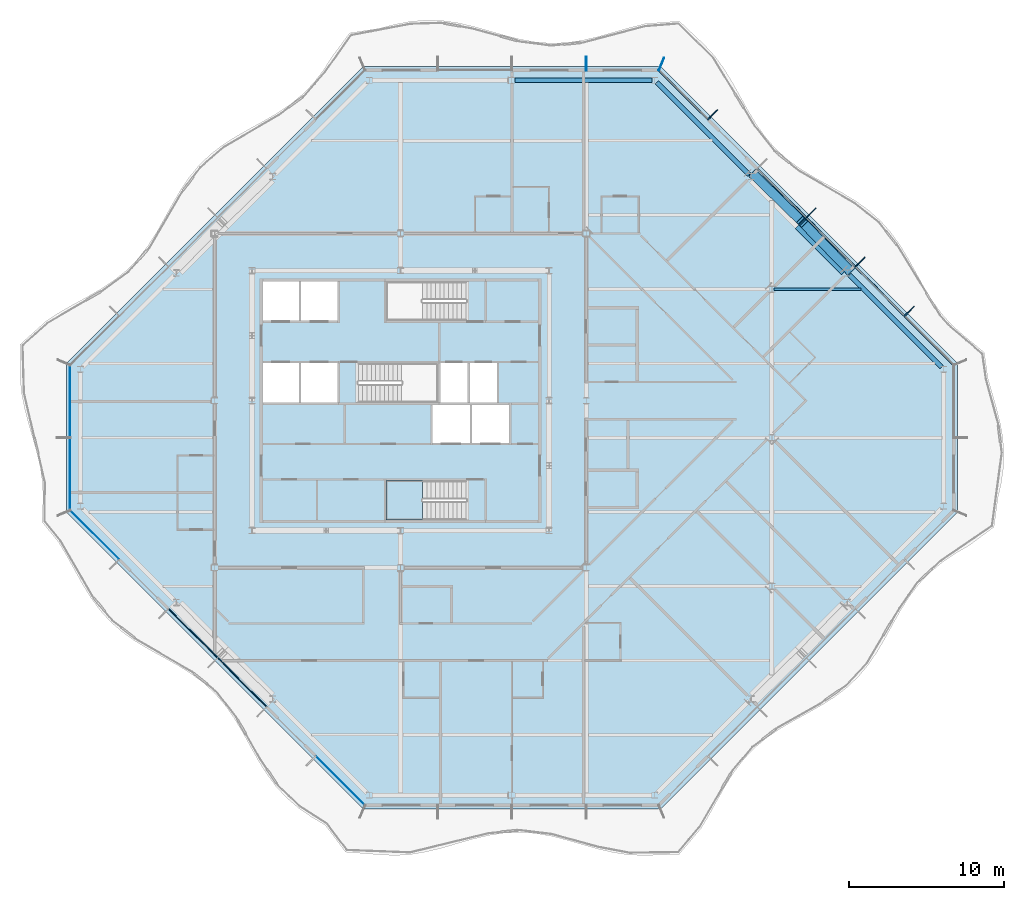
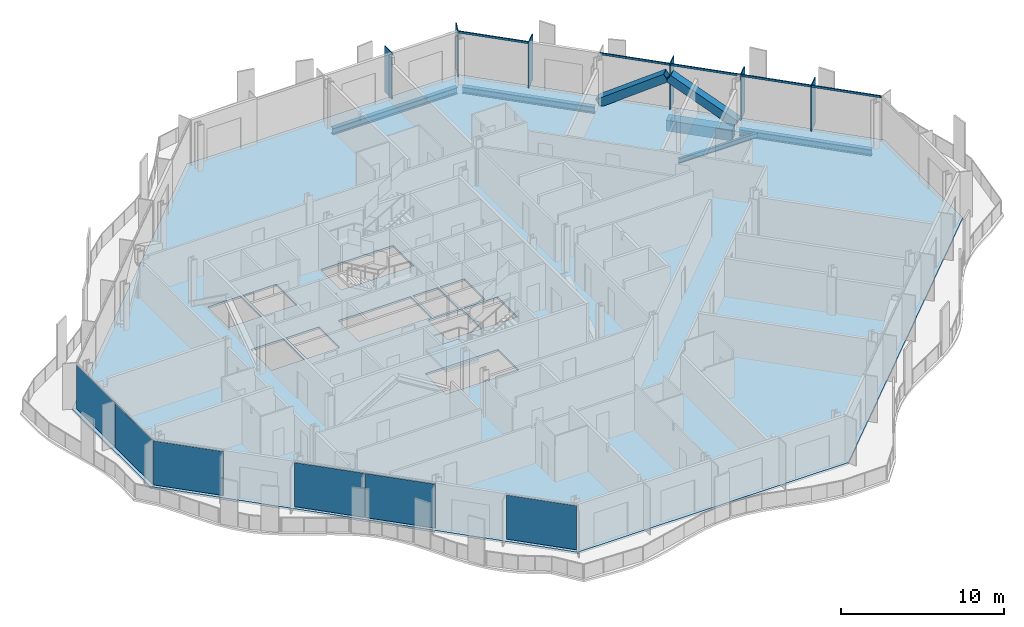
# One storey, part 5 of 17: 13 members, 6 plates, 5 beams, 2 slabs, 5 elements without a shape of their own.
"""IFC4 building model written with IfcOpenShell, lengths in metres."""

from ifc_helpers import new_model, si_unit, direction, frame, origin, origin_2d, place, context, subcontext, project, spatial, polyline, rectangle, hollow_rectangle, i_section, outline, extrude, material, layer, layer_set, material_profile, profile_set, type_object, element, aggregate, save


model = new_model("IFC4")

# Units and contexts
model_context = context("Model", 3, precision=1e-05, world=origin(), true_north=direction((0.0, 1.0)))
body_context = subcontext(model_context, "Body", "Model", "MODEL_VIEW")
ifc_project = project(units=[si_unit("LENGTHUNIT", "METRE"), si_unit("AREAUNIT", "SQUARE_METRE"), si_unit("VOLUMEUNIT", "CUBIC_METRE"), si_unit("PLANEANGLEUNIT", "RADIAN"), si_unit("MASSUNIT", "GRAM", prefix="KILO")], contexts=[model_context])

# Site, building, storey
site_placement = place(None, origin())
site = spatial("IfcSite", under=ifc_project, at=site_placement, CompositionType="ELEMENT")
building_placement = place(site_placement, origin())
building = spatial("IfcBuilding", under=site, at=building_placement, Name="Cairn Pilgrim Tower", CompositionType="ELEMENT")
storey_placement = place(building_placement, frame((0.0, 0.0, 225.0)))
storey = spatial("IfcBuildingStorey", under=building, at=storey_placement, Name="L57", CompositionType="ELEMENT", Elevation=225.0)

# Members
ifc_material_1 = material(Name="Structural steel S460M", Category="steel")
ifc_material_profile_1 = material_profile(ifc_material_1, hollow_rectangle(XDim=0.60009765625, YDim=0.60009765625, WallThickness=0.034912109375, at=origin_2d()), Name="BOX 600x600x35")
ifc_profile_set_1 = profile_set([ifc_material_profile_1], Name="Structural steel S460M")
member_type_1 = type_object("IfcMemberType", Name="BOX 600x600x35 BRACE", PredefinedType="BRACE", material=ifc_profile_set_1)
for number, where, z_axis, x_axis, name in (
    (1, (36.201416015625, 10.823974609375, 0.14990234375), (-0.59476326853, 0.609993709431, 0.523607036681), (-0.715988756584, -0.698111810848, 0.0), "XB-NE2-NE3-1"),
    (2, (30.02392578125, 17.00146484375, 0.14990234375), (0.609993709431, -0.59476326853, 0.523607036681), (0.698111810848, 0.715988756584, 0.0), "XB-NE2-NE3-2"),
):
    element("IfcMember", number, at=place(storey_placement, frame(where, z_axis=z_axis, x_axis=x_axis)), inside=storey, type_object=member_type_1, Name=name, PredefinedType="BRACE", context=body_context, shape_type="SweptSolid", body=[
        extrude(hollow_rectangle(XDim=0.60009765625, YDim=0.60009765625, WallThickness=0.034912109375, at=origin_2d()), origin(), (0.0, 0.0, 1.0), 5.033447265625),
    ])

# Beam
ifc_material_2 = material(Name="Structural steel S355J2", Category="steel")
ifc_material_profile_2 = material_profile(ifc_material_2, hollow_rectangle(XDim=0.699951171875, YDim=0.800048828125, WallThickness=0.0400390625, at=origin_2d()), Name="BOX 700x800x40")
ifc_profile_set_2 = profile_set([ifc_material_profile_2], Name="Structural steel S355J2")
beam_type_1 = type_object("IfcBeamType", Name="BOX 700x800x40 RING GIRDER", PredefinedType="SPANDREL", material=ifc_profile_set_2)
beam_1_placement = place(storey_placement, frame((35.943359375, 10.78369140625, -0.550048828125), z_axis=(-0.707077813866, 0.707135747321, 0.0), x_axis=(-0.707135747321, -0.707077813866, 0.0)))
element("IfcBeam", 3, at=beam_1_placement, inside=storey, type_object=beam_type_1, Name="RG3-NE2-NE3-1", PredefinedType="SPANDREL", context=body_context, shape_type="SweptSolid", body=[
    extrude(hollow_rectangle(XDim=0.699951171875, YDim=0.800048828125, WallThickness=0.0400390625, at=origin_2d()), origin(), (0.0, 0.0, 1.0), 4.214111328125),
])

# Curtain wall, members
ifc_material_3 = material(Name="Aluminium alloy 6063-T6 bronze anodised with Bronze tinted laminated low-E glass 8+16+8.8", Category="aluminium")
curtain_wall_type_1 = type_object("IfcCurtainWallType", Name="CHAMFER CORNER CURTAIN WALL", PredefinedType="NOTDEFINED", material=ifc_material_3)
curtain_wall_1_placement = place(storey_placement, origin())
curtain_wall_1 = element("IfcCurtainWall", 4, at=curtain_wall_1_placement, inside=storey, type_object=curtain_wall_type_1, Name="Chamfer Corner Curtain Wall NE", PredefinedType="NOTDEFINED")
ifc_material_4 = material(Name="Aluminium alloy 6063-T6 bronze anodised", Category="aluminium")
ifc_material_profile_3 = material_profile(ifc_material_4, rectangle(XDim=0.89990234375, YDim=0.06005859375, at=origin_2d()), Name="FIN MULLION 60x900 BRONZE")
ifc_profile_set_3 = profile_set([ifc_material_profile_3], Name="Aluminium alloy 6063-T6 bronze anodised")
member_type_2 = type_object("IfcMemberType", Name="FIN MULLION 60x900 BRONZE", PredefinedType="MULLION", material=ifc_profile_set_3)
member_1_placement = place(storey_placement, frame((40.0712890625, 8.1689453125, 0.0), z_axis=(0.0, 0.0, 1.0), x_axis=(0.707106781187, 0.707106781187, 0.0)))
member_1 = element("IfcMember", 5, at=member_1_placement, type_object=member_type_2, Name="Fin mullion NE2", PredefinedType="MULLION", context=body_context, shape_type="SweptSolid", body=[
    extrude(rectangle(XDim=0.89990234375, YDim=0.06005859375, at=origin_2d()), origin(), (0.0, 0.0, 1.0), 3.449951171875),
])
member_2_placement = place(storey_placement, frame((36.895751953125, 11.3447265625, 0.0), z_axis=(0.0, 0.0, 1.0), x_axis=(0.707106781187, 0.707106781187, 0.0)))
member_2 = element("IfcMember", 6, at=member_2_placement, type_object=member_type_2, Name="Fin mullion NE3", PredefinedType="MULLION", context=body_context, shape_type="SweptSolid", body=[
    extrude(rectangle(XDim=0.89990234375, YDim=0.06005859375, at=origin_2d()), origin(), (0.0, 0.0, 1.0), 3.449951171875),
])
member_3_placement = place(storey_placement, frame((33.72021484375, 14.520263671875, 0.0), z_axis=(0.0, 0.0, 1.0), x_axis=(0.707106781187, 0.707106781187, 0.0)))
member_3 = element("IfcMember", 7, at=member_3_placement, type_object=member_type_2, Name="Fin mullion NE4", PredefinedType="MULLION", context=body_context, shape_type="SweptSolid", body=[
    extrude(rectangle(XDim=0.89990234375, YDim=0.06005859375, at=origin_2d()), origin(), (0.0, 0.0, 1.0), 3.449951171875),
])
member_4_placement = place(storey_placement, frame((27.369140625, 20.871337890625, 0.0), z_axis=(0.0, 0.0, 1.0), x_axis=(0.707106781187, 0.707106781187, 0.0)))
member_4 = element("IfcMember", 8, at=member_4_placement, type_object=member_type_2, Name="Fin mullion NE6", PredefinedType="MULLION", context=body_context, shape_type="SweptSolid", body=[
    extrude(rectangle(XDim=0.89990234375, YDim=0.06005859375, at=origin_2d()), origin(), (0.0, 0.0, 1.0), 3.449951171875),
])

curtain_wall_type_2 = type_object("IfcCurtainWallType", Name="TOWER STICK CURTAIN WALL NS", PredefinedType="NOTDEFINED", material=ifc_material_3)
curtain_wall_2_placement = place(storey_placement, origin())
curtain_wall_2 = element("IfcCurtainWall", 9, at=curtain_wall_2_placement, inside=storey, type_object=curtain_wall_type_2, Name="Tower Stick Curtain Wall Ns N", PredefinedType="NOTDEFINED")
member_5_placement = place(storey_placement, frame((24.05712890625, 24.137939453125, 0.0), z_axis=(0.0, 0.0, 1.0), x_axis=(0.382683432365, 0.923879532511, 0.0)))
member_5 = element("IfcMember", 10, at=member_5_placement, type_object=member_type_2, Name="Fin mullion N1", PredefinedType="MULLION", context=body_context, shape_type="SweptSolid", body=[
    extrude(rectangle(XDim=0.89990234375, YDim=0.06005859375, at=origin_2d()), origin(), (0.0, 0.0, 1.0), 3.449951171875),
])
member_6_placement = place(storey_placement, frame((19.199951171875, 24.169921875, 0.0), z_axis=(0.0, 0.0, 1.0), x_axis=(0.0, 1.0, 0.0)))
member_6 = element("IfcMember", 11, at=member_6_placement, type_object=member_type_2, Name="Fin mullion N2", PredefinedType="MULLION", context=body_context, shape_type="SweptSolid", body=[
    extrude(rectangle(XDim=0.89990234375, YDim=0.06005859375, at=origin_2d()), origin(), (0.0, 0.0, 1.0), 3.449951171875),
])
aggregate(curtain_wall_2, [member_5, member_6])

# Beams
ifc_material_profile_4 = material_profile(ifc_material_2, i_section(OverallWidth=0.300048828125, OverallDepth=0.5, WebThickness=0.014404296875, FlangeThickness=0.028076171875, FilletRadius=0.027099609375, at=origin_2d()), Name="HEB 500")
ifc_profile_set_4 = profile_set([ifc_material_profile_4], Name="Structural steel S355J2")
beam_type_2 = type_object("IfcBeamType", Name="HEB 500 RING GIRDER", PredefinedType="SPANDREL", material=ifc_profile_set_4)
for number, where, z_axis, x_axis, name in (
    (12, (42.16748046875, 4.5595703125, -0.39990234375), (-0.707106781187, 0.707106781187, 0.0), (-0.707106781187, -0.707106781187, 0.0), "RG3-NE1-NE2"),
    (13, (29.718994140625, 17.008056640625, -0.39990234375), (-0.707106781187, 0.707106781187, 0.0), (-0.707106781187, -0.707106781187, 0.0), "RG3-NE3-N1"),
):
    element("IfcBeam", number, at=place(storey_placement, frame(where, z_axis=z_axis, x_axis=x_axis)), inside=storey, type_object=beam_type_2, Name=name, PredefinedType="SPANDREL", context=body_context, shape_type="SweptSolid", body=[
        extrude(i_section(OverallWidth=0.300048828125, OverallDepth=0.5, WebThickness=0.014404296875, FlangeThickness=0.028076171875, FilletRadius=0.027099609375, at=origin_2d()), origin(), (0.0, 0.0, 1.0), 8.427978515625),
    ])
beam_2_placement = place(storey_placement, frame((23.43994140625, 23.10009765625, -0.39990234375), z_axis=(-1.0, 0.0, 0.0), x_axis=(0.0, -1.0, 0.0)))
element("IfcBeam", 14, at=beam_2_placement, inside=storey, type_object=beam_type_2, Name="RG3-N1-N2", PredefinedType="SPANDREL", context=body_context, shape_type="SweptSolid", body=[
    extrude(i_section(OverallWidth=0.300048828125, OverallDepth=0.5, WebThickness=0.014404296875, FlangeThickness=0.028076171875, FilletRadius=0.027099609375, at=origin_2d()), origin(), (0.0, 0.0, 1.0), 8.852783203125),
])
ifc_material_profile_5 = material_profile(ifc_material_2, i_section(OverallWidth=0.169921875, OverallDepth=0.360107421875, WebThickness=0.008056640625, FlangeThickness=0.0126953125, FilletRadius=0.01806640625, at=origin_2d()), Name="IPE 360")
ifc_profile_set_5 = profile_set([ifc_material_profile_5], Name="Structural steel S355J2")
beam_type_3 = type_object("IfcBeamType", Name="IPE 360 SECONDARY BEAM", PredefinedType="JOIST", material=ifc_profile_set_5)
beam_3_placement = place(storey_placement, frame((31.35009765625, 9.60009765625, -0.330078125), z_axis=(1.0, 0.0, 0.0), x_axis=(0.0, 1.0, 0.0)))
element("IfcBeam", 15, at=beam_3_placement, inside=storey, type_object=beam_type_3, Name="SB7-3", PredefinedType="JOIST", context=body_context, shape_type="SweptSolid", body=[
    extrude(i_section(OverallWidth=0.169921875, OverallDepth=0.360107421875, WebThickness=0.008056640625, FlangeThickness=0.0126953125, FilletRadius=0.01806640625, at=origin_2d()), origin(), (0.0, 0.0, 1.0), 5.594970703125),
])

# Member
ifc_material_profile_6 = material_profile(ifc_material_4, rectangle(XDim=0.080078125, YDim=0.14990234375, at=origin_2d()), Name="TRANSOM 80x150 BRONZE")
ifc_profile_set_6 = profile_set([ifc_material_profile_6], Name="Aluminium alloy 6063-T6 bronze anodised")
member_type_3 = type_object("IfcMemberType", Name="TRANSOM 80x150 BRONZE", PredefinedType="USERDEFINED", material=ifc_profile_set_6)
member_7_placement = place(storey_placement, frame((42.921630859375, 4.724609375, 3.375), z_axis=(-0.707079168996, 0.707134392299, 0.0), x_axis=(-0.707134392299, -0.707079168996, 0.0)))
member_7 = element("IfcMember", 16, at=member_7_placement, type_object=member_type_3, Name="Transom NE1", ObjectType="TRANSOM", PredefinedType="USERDEFINED", context=body_context, shape_type="SweptSolid", body=[
    extrude(rectangle(XDim=0.080078125, YDim=0.14990234375, at=origin_2d()), origin(), (0.0, 0.0, 1.0), 4.4208984375),
])

member_8_placement = place(storey_placement, frame((39.753173828125, 7.893310546875, 3.375), z_axis=(-0.707106781187, 0.707106781187, 0.0), x_axis=(-0.707106781187, -0.707106781187, 0.0)))
member_8 = element("IfcMember", 17, at=member_8_placement, type_object=member_type_3, Name="Transom NE2", ObjectType="TRANSOM", PredefinedType="USERDEFINED", context=body_context, shape_type="SweptSolid", body=[
    extrude(rectangle(XDim=0.080078125, YDim=0.14990234375, at=origin_2d()), origin(), (0.0, 0.0, 1.0), 4.430908203125),
])

member_9_placement = place(storey_placement, frame((36.57763671875, 11.06884765625, 3.375), z_axis=(-0.707134329907, 0.707079231393, 0.0), x_axis=(-0.707079231393, -0.707134329907, 0.0)))
member_9 = element("IfcMember", 18, at=member_9_placement, type_object=member_type_3, Name="Transom NE3", ObjectType="TRANSOM", PredefinedType="USERDEFINED", context=body_context, shape_type="SweptSolid", body=[
    extrude(rectangle(XDim=0.080078125, YDim=0.14990234375, at=origin_2d()), origin(), (0.0, 0.0, 1.0), 4.430908203125),
])

member_10_placement = place(storey_placement, frame((33.402099609375, 14.244384765625, 3.375), z_axis=(-0.707106781187, 0.707106781187, 0.0), x_axis=(-0.707106781187, -0.707106781187, 0.0)))
member_10 = element("IfcMember", 19, at=member_10_placement, type_object=member_type_3, Name="Transom NE4", ObjectType="TRANSOM", PredefinedType="USERDEFINED", context=body_context, shape_type="SweptSolid", body=[
    extrude(rectangle(XDim=0.080078125, YDim=0.14990234375, at=origin_2d()), origin(), (0.0, 0.0, 1.0), 4.43115234375),
])

member_11_placement = place(storey_placement, frame((27.05078125, 20.595703125, 3.375), z_axis=(-0.707106781187, 0.707106781187, 0.0), x_axis=(-0.707106781187, -0.707106781187, 0.0)))
member_11 = element("IfcMember", 20, at=member_11_placement, type_object=member_type_3, Name="Transom NE6", ObjectType="TRANSOM", PredefinedType="USERDEFINED", context=body_context, shape_type="SweptSolid", body=[
    extrude(rectangle(XDim=0.080078125, YDim=0.14990234375, at=origin_2d()), origin(), (0.0, 0.0, 1.0), 4.4208984375),
])

aggregate(curtain_wall_1, [member_1, member_2, member_3, member_4, member_7, member_8, member_9, member_10, member_11])

# Slab
ifc_material_5 = material(Name="Concrete C35/45", Category="concrete")
ifc_layer_1 = layer(ifc_material_5, 0.14990234375)
ifc_layer_set_1 = layer_set([ifc_layer_1], Name="COMPOSITE FLOOR SLAB 150")
slab_type_1 = type_object("IfcSlabType", Name="COMPOSITE FLOOR SLAB 150", PredefinedType="FLOOR", material=ifc_layer_set_1)
slab_1_placement = place(storey_placement, frame((0.0, 0.0, -0.14990234375)))
element("IfcSlab", 21, at=slab_1_placement, inside=storey, type_object=slab_type_1, Name="FLOOR SLAB L57", PredefinedType="FLOOR", context=body_context, shape_type="SweptSolid", body=[
    extrude(outline(polyline([(4.800048828125, -24.0), (24.0, -24.0), (43.199951171875, -4.800048828125), (43.199951171875, 4.800048828125), (24.0, 24.0), (4.800048828125, 24.0), (-14.39990234375, 4.800048828125), (-14.39990234375, -4.800048828125), (4.800048828125, -24.0)]), holes=[polyline([(9.27490234375, -0.324951171875), (11.675048828125, -0.324951171875), (11.675048828125, 2.125), (9.27490234375, 2.125), (9.27490234375, -0.324951171875)]), polyline([(11.824951171875, -0.324951171875), (14.22509765625, -0.324951171875), (14.22509765625, 2.125), (11.824951171875, 2.125), (11.824951171875, -0.324951171875)]), polyline([(-1.72509765625, 2.27490234375), (0.625, 2.27490234375), (0.625, 4.824951171875), (-1.72509765625, 4.824951171875), (-1.72509765625, 2.27490234375)]), polyline([(0.77490234375, 2.27490234375), (3.125, 2.27490234375), (3.125, 4.824951171875), (0.77490234375, 4.824951171875), (0.77490234375, 2.27490234375)]), polyline([(-1.72509765625, 7.574951171875), (0.625, 7.574951171875), (0.625, 10.10009765625), (-1.72509765625, 10.10009765625), (-1.72509765625, 7.574951171875)]), polyline([(0.77490234375, 7.574951171875), (3.125, 7.574951171875), (3.125, 10.10009765625), (0.77490234375, 10.10009765625), (0.77490234375, 7.574951171875)]), polyline([(9.77490234375, 2.27490234375), (11.52490234375, 2.27490234375), (11.52490234375, 4.824951171875), (9.77490234375, 4.824951171875), (9.77490234375, 2.27490234375)]), polyline([(11.675048828125, 2.27490234375), (13.425048828125, 2.27490234375), (13.425048828125, 4.824951171875), (11.675048828125, 4.824951171875), (11.675048828125, 2.27490234375)]), polyline([(11.424560546875, -2.77490234375), (6.27490234375, -2.77490234375), (6.27490234375, -5.300048828125), (11.424560546875, -5.300048828125), (11.424560546875, -2.77490234375)]), polyline([(4.4755859375, 2.27490234375), (9.625, 2.27490234375), (9.625, 4.824951171875), (4.4755859375, 4.824951171875), (4.4755859375, 2.27490234375)]), polyline([(11.424560546875, 10.10009765625), (6.27490234375, 10.10009765625), (6.27490234375, 7.574951171875), (11.424560546875, 7.574951171875), (11.424560546875, 10.10009765625)])]), origin(), (0.0, 0.0, 1.0), 0.14990234375),
])

# Curtain wall, plates
curtain_wall_3_placement = place(storey_placement, origin())
curtain_wall_3 = element("IfcCurtainWall", 22, at=curtain_wall_3_placement, inside=storey, type_object=curtain_wall_type_1, Name="Chamfer Corner Curtain Wall SW", PredefinedType="NOTDEFINED")
ifc_material_6 = material(Name="Bronze anodised aluminium spandrel panel with mineral wool insulation", Category="aluminium")
ifc_layer_2 = layer(ifc_material_6, 0.06005859375)
ifc_layer_set_2 = layer_set([ifc_layer_2], Name="SPANDREL PANEL 4431x3300")
plate_type_1 = type_object("IfcPlateType", Name="SPANDREL PANEL 4431x3300", PredefinedType="CURTAIN_PANEL", material=ifc_layer_set_2)
plate_1_placement = place(storey_placement, frame((-6.2109375, -12.635498046875, 0.0), z_axis=(0.0, 0.0, 1.0), x_axis=(0.707106781187, -0.707106781187, 0.0)))
plate_1 = element("IfcPlate", 23, at=plate_1_placement, type_object=plate_type_1, Name="Spandrel Panel SW3-1", PredefinedType="CURTAIN_PANEL", context=body_context, shape_type="SweptSolid", body=[
    extrude(rectangle(XDim=4.430908203125, YDim=0.06005859375, at=origin_2d()), origin(), (0.0, 0.0, 1.0), 3.300048828125),
])
plate_2_placement = place(storey_placement, frame((-3.035400390625, -15.81103515625, 0.0), z_axis=(0.0, 0.0, 1.0), x_axis=(0.707106781187, -0.707106781187, 0.0)))
plate_2 = element("IfcPlate", 24, at=plate_2_placement, type_object=plate_type_1, Name="Spandrel Panel SW4-1", PredefinedType="CURTAIN_PANEL", context=body_context, shape_type="SweptSolid", body=[
    extrude(rectangle(XDim=4.430908203125, YDim=0.06005859375, at=origin_2d()), origin(), (0.0, 0.0, 1.0), 3.300048828125),
])

# Stair, slab
ifc_material_7 = material(Name="Concrete C32/40", Category="concrete")
stair_type = type_object("IfcStairType", Name="EXIT STAIR 1200", PredefinedType="HALF_TURN_STAIR", material=ifc_material_7)
stair_placement = place(storey_placement, origin())
stair = element("IfcStair", 25, at=stair_placement, inside=storey, type_object=stair_type, Name="L57 Exit Stair A", PredefinedType="HALF_TURN_STAIR")
ifc_layer_3 = layer(ifc_material_7, 0.199951171875)
ifc_layer_set_3 = layer_set([ifc_layer_3], Name="STAIR LANDING 200")
slab_type_2 = type_object("IfcSlabType", Name="STAIR LANDING 200", PredefinedType="LANDING", material=ifc_layer_set_3)
slab_2_placement = place(storey_placement, frame((0.0, 0.0, 1.60009765625)))
slab_2 = element("IfcSlab", 26, at=slab_2_placement, type_object=slab_type_2, Name="ST-A landing 1", PredefinedType="LANDING", context=body_context, shape_type="SweptSolid", body=[
    extrude(outline(polyline([(8.625, -2.77490234375), (6.27490234375, -2.77490234375), (6.27490234375, -5.300048828125), (8.625, -5.300048828125), (8.625, -2.77490234375)])), origin(), (0.0, 0.0, 1.0), 0.199951171875),
])
aggregate(stair, [slab_2])

# Plate
ifc_material_8 = material(Name="Bronze tinted laminated low-E glass 8+16+8.8", Category="glass")
ifc_layer_4 = layer(ifc_material_8, 0.033935546875)
ifc_layer_set_4 = layer_set([ifc_layer_4], Name="VISION GLAZING 4421x3300")
plate_type_2 = type_object("IfcPlateType", Name="VISION GLAZING 4421x3300", PredefinedType="CURTAIN_PANEL", material=ifc_layer_set_4)
plate_3_placement = place(storey_placement, frame((-12.55859375, -6.287841796875, 0.0), z_axis=(0.0, 0.0, 1.0), x_axis=(0.707106781187, -0.707106781187, 0.0)))
plate_3 = element("IfcPlate", 27, at=plate_3_placement, type_object=plate_type_2, Name="Vision Glazing SW1-1", PredefinedType="CURTAIN_PANEL", context=body_context, shape_type="SweptSolid", body=[
    extrude(rectangle(XDim=4.4208984375, YDim=0.033935546875, at=origin_2d()), origin(), (0.0, 0.0, 1.0), 3.300048828125),
])

plate_4_placement = place(storey_placement, frame((3.312255859375, -22.15869140625, 0.0), z_axis=(0.0, 0.0, 1.0), x_axis=(0.707106781187, -0.707106781187, 0.0)))
plate_4 = element("IfcPlate", 28, at=plate_4_placement, type_object=plate_type_2, Name="Vision Glazing SW6-1", PredefinedType="CURTAIN_PANEL", context=body_context, shape_type="SweptSolid", body=[
    extrude(rectangle(XDim=4.4208984375, YDim=0.033935546875, at=origin_2d()), origin(), (0.0, 0.0, 1.0), 3.300048828125),
])

aggregate(curtain_wall_3, [plate_3, plate_1, plate_2, plate_4])

# Curtain wall, plates
curtain_wall_type_3 = type_object("IfcCurtainWallType", Name="TOWER STICK CURTAIN WALL EW", PredefinedType="NOTDEFINED", material=ifc_material_3)
curtain_wall_4_placement = place(storey_placement, origin())
curtain_wall_4 = element("IfcCurtainWall", 29, at=curtain_wall_4_placement, inside=storey, type_object=curtain_wall_type_3, Name="Tower Stick Curtain Wall Ew W", PredefinedType="NOTDEFINED")
ifc_layer_5 = layer(ifc_material_8, 0.033935546875)
ifc_layer_set_5 = layer_set([ifc_layer_5], Name="VISION GLAZING 4626x3300")
plate_type_3 = type_object("IfcPlateType", Name="VISION GLAZING 4626x3300", PredefinedType="CURTAIN_PANEL", material=ifc_layer_set_5)
plate_5_placement = place(storey_placement, frame((-14.14990234375, 2.34326171875, 0.0), z_axis=(0.0, 0.0, 1.0), x_axis=(0.0, -1.0, 0.0)))
plate_5 = element("IfcPlate", 30, at=plate_5_placement, type_object=plate_type_3, Name="Vision Glazing W1-1", PredefinedType="CURTAIN_PANEL", context=body_context, shape_type="SweptSolid", body=[
    extrude(rectangle(XDim=4.62646484375, YDim=0.033935546875, at=origin_2d()), origin(), (0.0, 0.0, 1.0), 3.300048828125),
])
plate_6_placement = place(storey_placement, frame((-14.14990234375, -2.34326171875, 0.0), z_axis=(0.0, 0.0, 1.0), x_axis=(0.0, -1.0, 0.0)))
plate_6 = element("IfcPlate", 31, at=plate_6_placement, type_object=plate_type_3, Name="Vision Glazing W2-1", PredefinedType="CURTAIN_PANEL", context=body_context, shape_type="SweptSolid", body=[
    extrude(rectangle(XDim=4.62646484375, YDim=0.033935546875, at=origin_2d()), origin(), (0.0, 0.0, 1.0), 3.300048828125),
])
aggregate(curtain_wall_4, [plate_5, plate_6])

save(model, "model.ifc")
